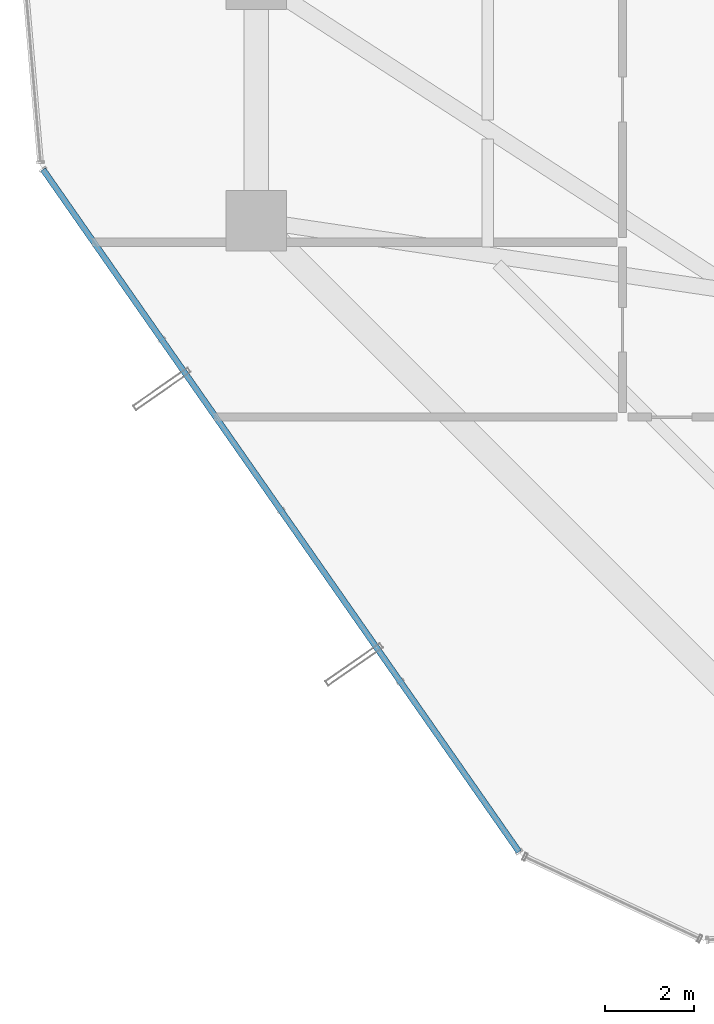
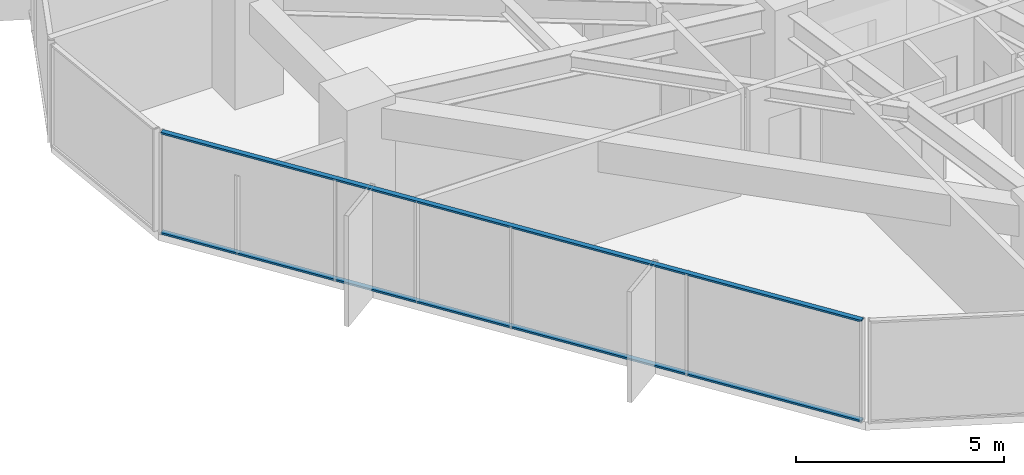
# One storey, part 3 of 37: 2 members, 1 element without a shape of its own.
"""IFC4 building model written with IfcOpenShell, lengths in metres."""

import ifcopenshell
import ifcopenshell.guid

model = None  # the IFC model being written
_history = None  # IfcOwnerHistory: only IFC2X3 demands one
_inside = {}  # id of a spatial element -> (the spatial element, [elements in it])
_under = {}  # id of a project, library or spatial element -> (it, [spatial elements below it])
_declared = {}  # id of a project -> (the project, [libraries it declares])
_typed = {}  # id of a type object -> (the type object, [elements of that type])
_made_of = {}  # id of a material, layer set ... -> (it, [elements and type objects made of it])


def new_model(schema):
    """Start an empty IFC model of exactly this schema.

    Asked for "IFC4X3", IfcOpenShell would pick the latest addendum, in which some entities
    have other attributes; the version numbers below select the first issue.
    IFC2X3 requires an IfcOwnerHistory on every rooted entity: one is made here for all.
    """
    global model, _history
    if schema == "IFC4X3":
        model = ifcopenshell.file(schema_version=(4, 3, 0, 0))
    else:
        model = ifcopenshell.file(schema=schema)
    _inside.clear()
    _under.clear()
    _declared.clear()
    _typed.clear()
    _made_of.clear()
    _history = None
    if model.schema == "IFC2X3":
        org = make("IfcOrganization", Name="unknown")
        user = make(
            "IfcPersonAndOrganization",
            ThePerson=make("IfcPerson", FamilyName="unknown"),
            TheOrganization=org,
        )
        app = make(
            "IfcApplication",
            ApplicationDeveloper=org,
            Version="unknown",
            ApplicationFullName="unknown",
            ApplicationIdentifier="unknown",
        )
        _history = make(
            "IfcOwnerHistory",
            OwningUser=user,
            OwningApplication=app,
            ChangeAction="ADDED",
            CreationDate=0,
        )
    return model


def make(cls, **values):
    """One entity of the class cls with the attributes given. An attribute that is None is left unset."""
    return model.create_entity(
        cls, **{name: value for name, value in values.items() if value is not None}
    )


def rooted(cls, **values):
    """An entity with a GlobalId (a new one), such as an element, a storey or a relation."""
    return make(cls, GlobalId=ifcopenshell.guid.new(), OwnerHistory=_history, **values)


def si_unit(unit_type, name, prefix=None):
    """IfcSIUnit, for example si_unit("LENGTHUNIT", "METRE", prefix="MILLI")."""
    return make("IfcSIUnit", UnitType=unit_type, Prefix=prefix, Name=name)


def assignment(units):
    """IfcUnitAssignment: the units of a project."""
    return None if units is None else make("IfcUnitAssignment", Units=units)


def point(xyz):
    """IfcCartesianPoint."""
    return None if xyz is None else make("IfcCartesianPoint", Coordinates=xyz)


def direction(xyz):
    """IfcDirection."""
    return None if xyz is None else make("IfcDirection", DirectionRatios=xyz)


def frame(location, z_axis=None, x_axis=None):
    """IfcAxis2Placement3D, a coordinate frame: its origin and axes. An axis left out is left unset."""
    return make(
        "IfcAxis2Placement3D",
        Location=point(location),
        Axis=direction(z_axis),
        RefDirection=direction(x_axis),
    )


def frame_2d(location, x_axis=None):
    """IfcAxis2Placement2D, a coordinate frame in the plane: its origin and x axis."""
    return make(
        "IfcAxis2Placement2D", Location=point(location), RefDirection=direction(x_axis)
    )


def origin():
    """The frame at (0, 0, 0) with its axes left unset."""
    return frame((0.0, 0.0, 0.0))


def origin_2d():
    """The frame at (0, 0) in the plane with its x axis left unset."""
    return frame_2d((0.0, 0.0))


def place(relative_to, where):
    """IfcLocalPlacement: puts the frame where relative to a parent placement (None: the world)."""
    return make(
        "IfcLocalPlacement", PlacementRelTo=relative_to, RelativePlacement=where
    )


def context(
    kind, dimensions, precision=None, world=None, true_north=None, identifier=None
):
    """IfcGeometricRepresentationContext, for example the 3D "Model" context."""
    return make(
        "IfcGeometricRepresentationContext",
        ContextIdentifier=identifier,
        ContextType=kind,
        CoordinateSpaceDimension=dimensions,
        Precision=precision,
        WorldCoordinateSystem=world,
        TrueNorth=true_north,
    )


def subcontext(parent, identifier, kind, view, scale=None):
    """IfcGeometricRepresentationSubContext, for example "Body" below "Model"."""
    return make(
        "IfcGeometricRepresentationSubContext",
        ContextIdentifier=identifier,
        ContextType=kind,
        ParentContext=parent,
        TargetScale=scale,
        TargetView=view,
    )


def project(units=None, contexts=None):
    """IfcProject with its units and contexts."""
    return rooted(
        "IfcProject",
        Name="project",
        RepresentationContexts=contexts,
        UnitsInContext=assignment(units),
    )


def spatial(cls, under=None, at=None, **own):
    """A site, building, storey or space (cls), placed at a placement, below another one or the project."""
    s = rooted(cls, ObjectPlacement=at, **own)
    if under is not None:
        _under.setdefault(under.id(), (under, []))[1].append(s)
    return s


def profile(cls, at=None, kind="AREA", **sizes):
    """A parametric profile (cls). Its sizes go by their IFC names, for example OverallWidth=200.0."""
    return make(cls, ProfileType=kind, Position=at, **sizes)


def hollow_rectangle(**sizes):
    """IfcRectangleHollowProfileDef."""
    return profile("IfcRectangleHollowProfileDef", **sizes)


def extrude(swept, where, along, depth):
    """IfcExtrudedAreaSolid: the profile swept, set in the frame where, extruded along a direction by depth."""
    return make(
        "IfcExtrudedAreaSolid",
        SweptArea=swept,
        Position=where,
        ExtrudedDirection=direction(along),
        Depth=depth,
    )


def shape(context_of_items, identifier, shape_type, items):
    """IfcShapeRepresentation: the items that make up one representation, for example the "Body"."""
    return make(
        "IfcShapeRepresentation",
        ContextOfItems=context_of_items,
        RepresentationIdentifier=identifier,
        RepresentationType=shape_type,
        Items=items,
    )


def source(mapping_origin, context_of_items, identifier, shape_type, items):
    """IfcRepresentationMap: a shape defined once, which mapped items show again and again."""
    return make(
        "IfcRepresentationMap",
        MappingOrigin=mapping_origin,
        MappedRepresentation=shape(context_of_items, identifier, shape_type, items),
    )


def transform(
    local_origin,
    x_axis=None,
    y_axis=None,
    z_axis=None,
    scale=None,
    scale2=None,
    scale3=None,
    uniform=True,
):
    """IfcCartesianTransformationOperator3D, or its non-uniform kind. x_axis, y_axis, z_axis: its Axis1, 2, 3."""
    if uniform:
        return make(
            "IfcCartesianTransformationOperator3D",
            Axis1=direction(x_axis),
            Axis2=direction(y_axis),
            LocalOrigin=point(local_origin),
            Scale=scale,
            Axis3=direction(z_axis),
        )
    return make(
        "IfcCartesianTransformationOperator3DnonUniform",
        Axis1=direction(x_axis),
        Axis2=direction(y_axis),
        LocalOrigin=point(local_origin),
        Scale=scale,
        Axis3=direction(z_axis),
        Scale2=scale2,
        Scale3=scale3,
    )


def mapped(mapping_source, mapping_target):
    """IfcMappedItem: shows the shape of a source again, moved by a transform."""
    return make(
        "IfcMappedItem", MappingSource=mapping_source, MappingTarget=mapping_target
    )


def material(Name=None, Category=None):
    """IfcMaterial."""
    return make("IfcMaterial", Name=Name, Category=Category)


def layer(
    of_material, thickness, ventilated=None, Name=None, Category=None, Priority=None
):
    """IfcMaterialLayer: one layer of a wall or slab, of a material (None: an air gap)."""
    return make(
        "IfcMaterialLayer",
        Material=of_material,
        LayerThickness=thickness,
        IsVentilated=ventilated,
        Name=Name,
        Category=Category,
        Priority=Priority,
    )


def layer_set(layers, Name=None):
    """IfcMaterialLayerSet."""
    return make("IfcMaterialLayerSet", MaterialLayers=layers, LayerSetName=Name)


def material_profile(
    of_material, cross_section, Name=None, Category=None, Priority=None
):
    """IfcMaterialProfile: a cross section and its material."""
    return make(
        "IfcMaterialProfile",
        Name=Name,
        Material=of_material,
        Profile=cross_section,
        Priority=Priority,
        Category=Category,
    )


def profile_set(profiles, Name=None, composite=None):
    """IfcMaterialProfileSet."""
    return make(
        "IfcMaterialProfileSet",
        Name=Name,
        MaterialProfiles=profiles,
        CompositeProfile=composite,
    )


def made_of(thing, what):
    """Note that an element or type object is made of a material, layer set ...; save() writes the relation."""
    if what is not None:
        _made_of.setdefault(what.id(), (what, []))[1].append(thing)
    return thing


def type_object(cls, material=None, **own):
    """A type object (cls), such as IfcWallType, which elements share."""
    return made_of(rooted(cls, **own), material)


def element(
    cls,
    number,
    at=None,
    inside=None,
    cuts=None,
    type_object=None,
    material=None,
    context=None,
    identifier="Body",
    shape_type=None,
    held_by="IfcProductDefinitionShape",
    body=None,
    shapes=None,
    **own,
):
    """One element of the class cls, such as IfcWall. Its Tag is "e" and its number.

    at: its placement. inside: the storey or other place that contains it. cuts: it is an
    opening in that element (IfcRelVoidsElement). A single representation is given by context,
    identifier, shape_type and body (its items); several are given by shapes. held_by: the class
    of the entity that holds the representations. save() writes the other relations.
    """
    e = rooted(cls, Tag="e%d" % number, ObjectPlacement=at, **own)
    if body is not None:
        shapes = [shape(context, identifier, shape_type, body)]
    if shapes is not None:
        e.Representation = make(held_by, Representations=shapes)
    if inside is not None:
        _inside.setdefault(inside.id(), (inside, []))[1].append(e)
    if cuts is not None:
        rooted(
            "IfcRelVoidsElement", RelatingBuildingElement=cuts, RelatedOpeningElement=e
        )
    if type_object is not None:
        _typed.setdefault(type_object.id(), (type_object, []))[1].append(e)
    return made_of(e, material)


def aggregate(whole, parts):
    """IfcRelAggregates: a whole, such as a stair, and the parts it consists of."""
    return rooted("IfcRelAggregates", RelatingObject=whole, RelatedObjects=parts)


def save(model, path):
    """Write the relations noted so far, then the file.

    IfcRelAggregates (storeys below a building ...), IfcRelContainedInSpatialStructure (elements
    in a storey), IfcRelDefinesByType, IfcRelAssociatesMaterial and IfcRelDeclares: one each for
    every whole, place, type object, material and project.
    """
    for whole, parts in _under.values():
        aggregate(whole, parts)
    for where, things in _inside.values():
        rooted(
            "IfcRelContainedInSpatialStructure",
            RelatedElements=things,
            RelatingStructure=where,
        )
    for kind, things in _typed.values():
        rooted("IfcRelDefinesByType", RelatedObjects=things, RelatingType=kind)
    for what, things in _made_of.values():
        rooted("IfcRelAssociatesMaterial", RelatedObjects=things, RelatingMaterial=what)
    for by, libraries in _declared.values():
        rooted("IfcRelDeclares", RelatingContext=by, RelatedDefinitions=libraries)
    model.write(path)


model = new_model("IFC4")

# Units and contexts
model_context = context("Model", 3, precision=1e-05, world=origin(), true_north=direction((0.0, 1.0)))
body_context = subcontext(model_context, "Body", "Model", "MODEL_VIEW")
ifc_project = project(units=[si_unit("LENGTHUNIT", "METRE"), si_unit("AREAUNIT", "SQUARE_METRE"), si_unit("VOLUMEUNIT", "CUBIC_METRE"), si_unit("PLANEANGLEUNIT", "RADIAN"), si_unit("MASSUNIT", "GRAM", prefix="KILO")], contexts=[model_context])

# Site, building, storey
site_placement = place(None, origin())
site = spatial("IfcSite", under=ifc_project, at=site_placement, CompositionType="ELEMENT")
building_placement = place(site_placement, origin())
building = spatial("IfcBuilding", under=site, at=building_placement, Name="Veraguas Prism Commons", CompositionType="ELEMENT")
storey_placement = place(building_placement, frame((0.0, 0.0, 40.300048828125)))
storey = spatial("IfcBuildingStorey", under=building, at=storey_placement, Name="L10", CompositionType="ELEMENT", Elevation=40.300048828125)

# Curtain wall, members
ifc_material = material(Name="Anodised aluminium EN AW-6063 T6", Category="aluminium")
ifc_layer = layer(ifc_material, 0.169921875, Name="Unitised Flush Curtain Wall Zone 1", Category="aluminium")
ifc_layer_set = layer_set([ifc_layer], Name="Anodised aluminium EN AW-6063 T6")
curtain_wall_type = type_object("IfcCurtainWallType", Name="Unitised Flush Curtain Wall Zone 1", PredefinedType="NOTDEFINED", material=ifc_layer_set)
curtain_wall_placement = place(storey_placement, origin())
curtain_wall = element("IfcCurtainWall", 1, at=curtain_wall_placement, inside=storey, type_object=curtain_wall_type, Name="Tower Facade Curtain Wall L10-F4", PredefinedType="NOTDEFINED")
ifc_material_profile = material_profile(ifc_material, hollow_rectangle(XDim=0.054931640625, YDim=0.135009765625, WallThickness=0.0029296875, at=origin_2d()), Name="AL55X135X3")
ifc_profile_set = profile_set([ifc_material_profile], Name="Anodised aluminium EN AW-6063 T6")
member_type = type_object("IfcMemberType", Name="Curtain Wall Transom Standard AL 55x135x3", PredefinedType="USERDEFINED", material=ifc_profile_set)
shared_shape = source(origin(), body_context, "Body", "SweptSolid", [
    extrude(hollow_rectangle(XDim=0.054931640625, YDim=0.135009765625, WallThickness=0.0029296875, at=origin_2d()), origin(), (0.0, 0.0, 1.0), 18.623779296875),
])
member_1_placement = place(storey_placement, frame((1.625732421875, 19.745361328125, 0.02734375), z_axis=(0.572143660766, -0.820153419456, 0.0), x_axis=(0.0, 0.0, 1.0)))
member_1 = element("IfcMember", 2, at=member_1_placement, type_object=member_type, Name="CW-Z1 Transom 1", ObjectType="TRANSOM", PredefinedType="USERDEFINED", context=body_context, shape_type="MappedRepresentation", body=[
    mapped(shared_shape, transform((0.0, 0.0, 0.0), scale=1.0)),
])
member_2_placement = place(storey_placement, frame((1.625732421875, 19.745361328125, 2.972412109375), z_axis=(0.572143660766, -0.820153419456, 0.0), x_axis=(0.0, 0.0, 1.0)))
member_2 = element("IfcMember", 3, at=member_2_placement, type_object=member_type, Name="CW-Z1 Transom 2", ObjectType="TRANSOM", PredefinedType="USERDEFINED", context=body_context, shape_type="MappedRepresentation", body=[
    mapped(shared_shape, transform((0.0, 0.0, 0.0), scale=1.0)),
])
aggregate(curtain_wall, [member_1, member_2])

save(model, "model.ifc")
